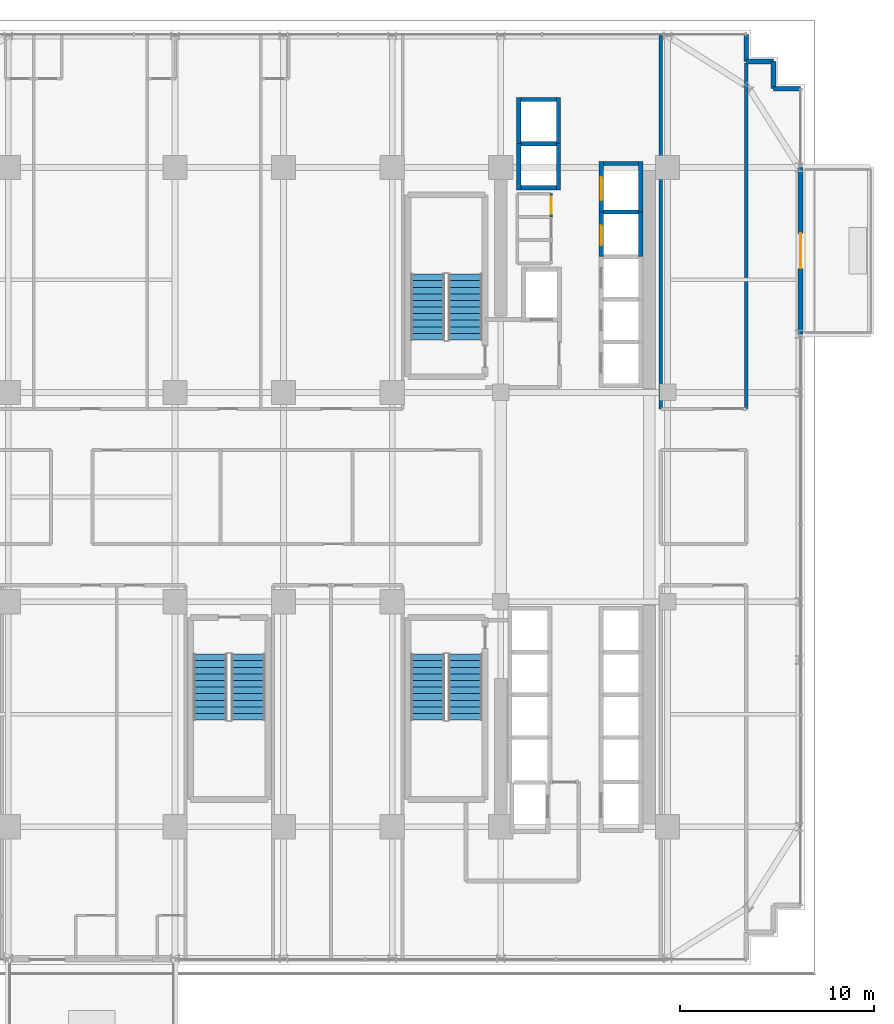
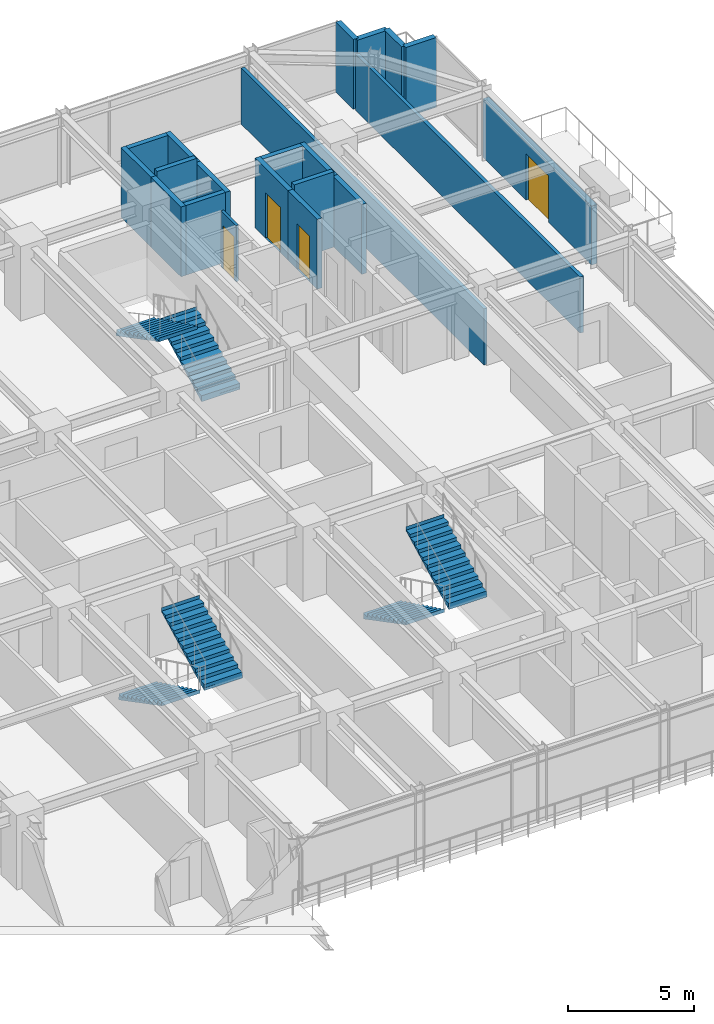
# One storey, part 30 of 34: 21 walls, 6 stair flights, 4 doors, 4 openings, 3 elements without a shape of their own.
"""IFC4 building model written with IfcOpenShell, lengths in metres."""

import ifcopenshell
import ifcopenshell.guid

model = None  # the IFC model being written
_history = None  # IfcOwnerHistory: only IFC2X3 demands one
_inside = {}  # id of a spatial element -> (the spatial element, [elements in it])
_under = {}  # id of a project, library or spatial element -> (it, [spatial elements below it])
_declared = {}  # id of a project -> (the project, [libraries it declares])
_typed = {}  # id of a type object -> (the type object, [elements of that type])
_made_of = {}  # id of a material, layer set ... -> (it, [elements and type objects made of it])


def new_model(schema):
    """Start an empty IFC model of exactly this schema.

    Asked for "IFC4X3", IfcOpenShell would pick the latest addendum, in which some entities
    have other attributes; the version numbers below select the first issue.
    IFC2X3 requires an IfcOwnerHistory on every rooted entity: one is made here for all.
    """
    global model, _history
    if schema == "IFC4X3":
        model = ifcopenshell.file(schema_version=(4, 3, 0, 0))
    else:
        model = ifcopenshell.file(schema=schema)
    _inside.clear()
    _under.clear()
    _declared.clear()
    _typed.clear()
    _made_of.clear()
    _history = None
    if model.schema == "IFC2X3":
        org = make("IfcOrganization", Name="unknown")
        user = make(
            "IfcPersonAndOrganization",
            ThePerson=make("IfcPerson", FamilyName="unknown"),
            TheOrganization=org,
        )
        app = make(
            "IfcApplication",
            ApplicationDeveloper=org,
            Version="unknown",
            ApplicationFullName="unknown",
            ApplicationIdentifier="unknown",
        )
        _history = make(
            "IfcOwnerHistory",
            OwningUser=user,
            OwningApplication=app,
            ChangeAction="ADDED",
            CreationDate=0,
        )
    return model


def make(cls, **values):
    """One entity of the class cls with the attributes given. An attribute that is None is left unset."""
    return model.create_entity(
        cls, **{name: value for name, value in values.items() if value is not None}
    )


def rooted(cls, **values):
    """An entity with a GlobalId (a new one), such as an element, a storey or a relation."""
    return make(cls, GlobalId=ifcopenshell.guid.new(), OwnerHistory=_history, **values)


def si_unit(unit_type, name, prefix=None):
    """IfcSIUnit, for example si_unit("LENGTHUNIT", "METRE", prefix="MILLI")."""
    return make("IfcSIUnit", UnitType=unit_type, Prefix=prefix, Name=name)


def assignment(units):
    """IfcUnitAssignment: the units of a project."""
    return None if units is None else make("IfcUnitAssignment", Units=units)


def point(xyz):
    """IfcCartesianPoint."""
    return None if xyz is None else make("IfcCartesianPoint", Coordinates=xyz)


def direction(xyz):
    """IfcDirection."""
    return None if xyz is None else make("IfcDirection", DirectionRatios=xyz)


def frame(location, z_axis=None, x_axis=None):
    """IfcAxis2Placement3D, a coordinate frame: its origin and axes. An axis left out is left unset."""
    return make(
        "IfcAxis2Placement3D",
        Location=point(location),
        Axis=direction(z_axis),
        RefDirection=direction(x_axis),
    )


def frame_2d(location, x_axis=None):
    """IfcAxis2Placement2D, a coordinate frame in the plane: its origin and x axis."""
    return make(
        "IfcAxis2Placement2D", Location=point(location), RefDirection=direction(x_axis)
    )


def origin():
    """The frame at (0, 0, 0) with its axes left unset."""
    return frame((0.0, 0.0, 0.0))


def place(relative_to, where):
    """IfcLocalPlacement: puts the frame where relative to a parent placement (None: the world)."""
    return make(
        "IfcLocalPlacement", PlacementRelTo=relative_to, RelativePlacement=where
    )


def context(
    kind, dimensions, precision=None, world=None, true_north=None, identifier=None
):
    """IfcGeometricRepresentationContext, for example the 3D "Model" context."""
    return make(
        "IfcGeometricRepresentationContext",
        ContextIdentifier=identifier,
        ContextType=kind,
        CoordinateSpaceDimension=dimensions,
        Precision=precision,
        WorldCoordinateSystem=world,
        TrueNorth=true_north,
    )


def subcontext(parent, identifier, kind, view, scale=None):
    """IfcGeometricRepresentationSubContext, for example "Body" below "Model"."""
    return make(
        "IfcGeometricRepresentationSubContext",
        ContextIdentifier=identifier,
        ContextType=kind,
        ParentContext=parent,
        TargetScale=scale,
        TargetView=view,
    )


def project(units=None, contexts=None):
    """IfcProject with its units and contexts."""
    return rooted(
        "IfcProject",
        Name="project",
        RepresentationContexts=contexts,
        UnitsInContext=assignment(units),
    )


def spatial(cls, under=None, at=None, **own):
    """A site, building, storey or space (cls), placed at a placement, below another one or the project."""
    s = rooted(cls, ObjectPlacement=at, **own)
    if under is not None:
        _under.setdefault(under.id(), (under, []))[1].append(s)
    return s


def polyline(points):
    """IfcPolyline through the points."""
    return make("IfcPolyline", Points=[point(p) for p in points])


def profile(cls, at=None, kind="AREA", **sizes):
    """A parametric profile (cls). Its sizes go by their IFC names, for example OverallWidth=200.0."""
    return make(cls, ProfileType=kind, Position=at, **sizes)


def rectangle(**sizes):
    """IfcRectangleProfileDef."""
    return profile("IfcRectangleProfileDef", **sizes)


def outline(outer, holes=None, kind="AREA"):
    """IfcArbitraryClosedProfileDef: a profile drawn as a closed curve; with holes, ...WithVoids."""
    if holes is None:
        return make("IfcArbitraryClosedProfileDef", ProfileType=kind, OuterCurve=outer)
    return make(
        "IfcArbitraryProfileDefWithVoids",
        ProfileType=kind,
        OuterCurve=outer,
        InnerCurves=holes,
    )


def extrude(swept, where, along, depth):
    """IfcExtrudedAreaSolid: the profile swept, set in the frame where, extruded along a direction by depth."""
    return make(
        "IfcExtrudedAreaSolid",
        SweptArea=swept,
        Position=where,
        ExtrudedDirection=direction(along),
        Depth=depth,
    )


def shape(context_of_items, identifier, shape_type, items):
    """IfcShapeRepresentation: the items that make up one representation, for example the "Body"."""
    return make(
        "IfcShapeRepresentation",
        ContextOfItems=context_of_items,
        RepresentationIdentifier=identifier,
        RepresentationType=shape_type,
        Items=items,
    )


def source(mapping_origin, context_of_items, identifier, shape_type, items):
    """IfcRepresentationMap: a shape defined once, which mapped items show again and again."""
    return make(
        "IfcRepresentationMap",
        MappingOrigin=mapping_origin,
        MappedRepresentation=shape(context_of_items, identifier, shape_type, items),
    )


def transform(
    local_origin,
    x_axis=None,
    y_axis=None,
    z_axis=None,
    scale=None,
    scale2=None,
    scale3=None,
    uniform=True,
):
    """IfcCartesianTransformationOperator3D, or its non-uniform kind. x_axis, y_axis, z_axis: its Axis1, 2, 3."""
    if uniform:
        return make(
            "IfcCartesianTransformationOperator3D",
            Axis1=direction(x_axis),
            Axis2=direction(y_axis),
            LocalOrigin=point(local_origin),
            Scale=scale,
            Axis3=direction(z_axis),
        )
    return make(
        "IfcCartesianTransformationOperator3DnonUniform",
        Axis1=direction(x_axis),
        Axis2=direction(y_axis),
        LocalOrigin=point(local_origin),
        Scale=scale,
        Axis3=direction(z_axis),
        Scale2=scale2,
        Scale3=scale3,
    )


def mapped(mapping_source, mapping_target):
    """IfcMappedItem: shows the shape of a source again, moved by a transform."""
    return make(
        "IfcMappedItem", MappingSource=mapping_source, MappingTarget=mapping_target
    )


def material(Name=None, Category=None):
    """IfcMaterial."""
    return make("IfcMaterial", Name=Name, Category=Category)


def layer(
    of_material, thickness, ventilated=None, Name=None, Category=None, Priority=None
):
    """IfcMaterialLayer: one layer of a wall or slab, of a material (None: an air gap)."""
    return make(
        "IfcMaterialLayer",
        Material=of_material,
        LayerThickness=thickness,
        IsVentilated=ventilated,
        Name=Name,
        Category=Category,
        Priority=Priority,
    )


def layer_set(layers, Name=None):
    """IfcMaterialLayerSet."""
    return make("IfcMaterialLayerSet", MaterialLayers=layers, LayerSetName=Name)


def made_of(thing, what):
    """Note that an element or type object is made of a material, layer set ...; save() writes the relation."""
    if what is not None:
        _made_of.setdefault(what.id(), (what, []))[1].append(thing)
    return thing


def type_object(cls, material=None, **own):
    """A type object (cls), such as IfcWallType, which elements share."""
    return made_of(rooted(cls, **own), material)


def element(
    cls,
    number,
    at=None,
    inside=None,
    cuts=None,
    type_object=None,
    material=None,
    context=None,
    identifier="Body",
    shape_type=None,
    held_by="IfcProductDefinitionShape",
    body=None,
    shapes=None,
    **own,
):
    """One element of the class cls, such as IfcWall. Its Tag is "e" and its number.

    at: its placement. inside: the storey or other place that contains it. cuts: it is an
    opening in that element (IfcRelVoidsElement). A single representation is given by context,
    identifier, shape_type and body (its items); several are given by shapes. held_by: the class
    of the entity that holds the representations. save() writes the other relations.
    """
    e = rooted(cls, Tag="e%d" % number, ObjectPlacement=at, **own)
    if body is not None:
        shapes = [shape(context, identifier, shape_type, body)]
    if shapes is not None:
        e.Representation = make(held_by, Representations=shapes)
    if inside is not None:
        _inside.setdefault(inside.id(), (inside, []))[1].append(e)
    if cuts is not None:
        rooted(
            "IfcRelVoidsElement", RelatingBuildingElement=cuts, RelatedOpeningElement=e
        )
    if type_object is not None:
        _typed.setdefault(type_object.id(), (type_object, []))[1].append(e)
    return made_of(e, material)


def fill(opening, filler):
    """IfcRelFillsElement: the door or window that sits in an opening."""
    return rooted(
        "IfcRelFillsElement",
        RelatingOpeningElement=opening,
        RelatedBuildingElement=filler,
    )


def aggregate(whole, parts):
    """IfcRelAggregates: a whole, such as a stair, and the parts it consists of."""
    return rooted("IfcRelAggregates", RelatingObject=whole, RelatedObjects=parts)


def save(model, path):
    """Write the relations noted so far, then the file.

    IfcRelAggregates (storeys below a building ...), IfcRelContainedInSpatialStructure (elements
    in a storey), IfcRelDefinesByType, IfcRelAssociatesMaterial and IfcRelDeclares: one each for
    every whole, place, type object, material and project.
    """
    for whole, parts in _under.values():
        aggregate(whole, parts)
    for where, things in _inside.values():
        rooted(
            "IfcRelContainedInSpatialStructure",
            RelatedElements=things,
            RelatingStructure=where,
        )
    for kind, things in _typed.values():
        rooted("IfcRelDefinesByType", RelatedObjects=things, RelatingType=kind)
    for what, things in _made_of.values():
        rooted("IfcRelAssociatesMaterial", RelatedObjects=things, RelatingMaterial=what)
    for by, libraries in _declared.values():
        rooted("IfcRelDeclares", RelatingContext=by, RelatedDefinitions=libraries)
    model.write(path)


model = new_model("IFC4")

# Units and contexts
model_context = context("Model", 3, precision=1e-05, world=origin(), true_north=direction((0.0, 1.0)))
body_context = subcontext(model_context, "Body", "Model", "MODEL_VIEW")
ifc_project = project(units=[si_unit("LENGTHUNIT", "METRE"), si_unit("AREAUNIT", "SQUARE_METRE"), si_unit("VOLUMEUNIT", "CUBIC_METRE"), si_unit("PLANEANGLEUNIT", "RADIAN"), si_unit("MASSUNIT", "GRAM", prefix="KILO")], contexts=[model_context])

# Site, building, storey
site_placement = place(None, origin())
site = spatial("IfcSite", under=ifc_project, at=site_placement, CompositionType="ELEMENT")
building_placement = place(site_placement, origin())
building = spatial("IfcBuilding", under=site, at=building_placement, Name="Nahalor Promenade Grand Hotel", CompositionType="ELEMENT")
storey_placement = place(building_placement, frame((0.0, 0.0, 88.300048828125)))
storey = spatial("IfcBuildingStorey", under=building, at=storey_placement, Name="L21", CompositionType="ELEMENT", Elevation=88.300048828125)

# Walls
ifc_material_1 = material(Name="Concrete B-50 (C40/50)", Category="concrete")
ifc_layer_1 = layer(ifc_material_1, 0.219970703125)
ifc_layer_set_1 = layer_set([ifc_layer_1], Name="Concrete B-50 (C40/50)")
wall_type_1 = type_object("IfcWallType", Name="Wall-LiftShaft-220", PredefinedType="SHEAR", material=ifc_layer_set_1)
shared_shape_1 = source(origin(), body_context, "Body", "SweptSolid", [
    extrude(rectangle(XDim=1.820068359375, YDim=0.219970703125, at=frame_2d((0.91015625, 0.0))), origin(), (0.0, 0.0, 1.0), 3.64990234375),
])
for number, where, z_axis, x_axis, name in (
    (1, (13.68994140625, 14.699951171875, 0.0), (0.0, 0.0, 1.0), (1.0, 0.0, 0.0), "L21 Lift PL4 Hoistway Wall N"),
    (2, (9.43994140625, 18.22509765625, 0.0), (0.0, 0.0, 1.0), (1.0, 0.0, 0.0), "L21 Lift OB1 Hoistway Wall N"),
):
    element("IfcWall", number, at=place(storey_placement, frame(where, z_axis=z_axis, x_axis=x_axis)), inside=storey, type_object=wall_type_1, Name=name, PredefinedType="SHEAR", context=body_context, shape_type="MappedRepresentation", body=[
        mapped(shared_shape_1, transform((0.0, 0.0, 0.0), scale=1.0)),
    ])
shared_shape_2 = source(origin(), body_context, "Body", "SweptSolid", [
    extrude(rectangle(XDim=1.820068359375, YDim=0.219970703125, at=frame_2d((0.91015625, 0.0))), origin(), (0.0, 0.0, 1.0), 3.3798828125),
])
for number, where, z_axis, x_axis, name in (
    (3, (9.43994140625, 15.949951171875, 0.0), (0.0, 0.0, 1.0), (1.0, 0.0, 0.0), "L21 Lift OB1 Hoistway Wall S"),
    (4, (9.43994140625, 20.5, 0.0), (0.0, 0.0, 1.0), (1.0, 0.0, 0.0), "L21 Lift OB2 Hoistway Wall N"),
    (5, (13.68994140625, 17.199951171875, 0.0), (0.0, 0.0, 1.0), (1.0, 0.0, 0.0), "L21 Lift SV1 Hoistway Wall N"),
):
    element("IfcWall", number, at=place(storey_placement, frame(where, z_axis=z_axis, x_axis=x_axis)), inside=storey, type_object=wall_type_1, Name=name, PredefinedType="SHEAR", context=body_context, shape_type="MappedRepresentation", body=[
        mapped(shared_shape_2, transform((0.0, 0.0, 0.0), scale=1.0)),
    ])

# Wall, opening, door
shared_shape_3 = source(origin(), body_context, "Body", "SweptSolid", [
    extrude(rectangle(XDim=2.300048828125, YDim=0.219970703125, at=frame_2d((1.14990234375, 0.0))), origin(), (0.0, 0.0, 1.0), 3.3798828125),
])
wall_1_placement = place(storey_placement, frame((13.580078125, 12.39990234375, 0.0), z_axis=(0.0, 0.0, 1.0), x_axis=(0.0, 1.0, 0.0)))
wall_1 = element("IfcWall", 6, at=wall_1_placement, inside=storey, type_object=wall_type_1, Name="L21 Lift PL4 Hoistway Wall W", PredefinedType="SHEAR", context=body_context, shape_type="MappedRepresentation", body=[
    mapped(shared_shape_3, transform((0.0, 0.0, 0.0), scale=1.0)),
])
opening_1_placement = place(wall_1_placement, frame((0.60009765625, 0.0, 0.0)))
opening_1 = element("IfcOpeningElement", 7, at=opening_1_placement, cuts=wall_1, Name="Opening LD-01", PredefinedType="OPENING", context=body_context, shape_type="SweptSolid", body=[
    extrude(rectangle(XDim=1.0, YDim=2.199951171875, at=frame_2d((0.5, 1.10009765625))), frame((0.0, 0.119873046875, 0.0), z_axis=(0.0, -1.0, 0.0), x_axis=(1.0, 0.0, 0.0)), (0.0, 0.0, 1.0), 0.239990234375),
])
ifc_material_2 = material(Name="Steel S355JR", Category="steel")
door_type_1 = type_object("IfcDoorType", Name="Door-LiftLanding-1000", OperationType="DOUBLE_DOOR_SLIDING", PredefinedType="DOOR", material=ifc_material_2)
shared_shape_4 = source(origin(), body_context, "Body", "SweptSolid", [
    extrude(rectangle(XDim=1.0, YDim=2.199951171875, at=frame_2d((0.5, 1.10009765625))), frame((0.0, 0.02490234375, 0.0), z_axis=(0.0, -1.0, 0.0), x_axis=(1.0, 0.0, 0.0)), (0.0, 0.0, 1.0), 0.050048828125),
])
door_1_placement = place(opening_1_placement, origin())
door_1 = element("IfcDoor", 8, at=door_1_placement, inside=storey, type_object=door_type_1, Name="DR-LIFT-PL4-L21", OperationType="DOUBLE_DOOR_SLIDING", OverallHeight=2.199951171875, OverallWidth=1.0, PredefinedType="DOOR", context=body_context, shape_type="MappedRepresentation", body=[
    mapped(shared_shape_4, transform((0.0, 0.0, 0.0), scale=1.0)),
])
fill(opening_1, door_1)

# Walls
wall_2_placement = place(storey_placement, frame((15.6201171875, 12.39990234375, 0.0), z_axis=(0.0, 0.0, 1.0), x_axis=(0.0, 1.0, 0.0)))
element("IfcWall", 9, at=wall_2_placement, inside=storey, type_object=wall_type_1, Name="L21 Lift PL4 Hoistway Wall E", PredefinedType="SHEAR", context=body_context, shape_type="MappedRepresentation", body=[
    mapped(shared_shape_3, transform((0.0, 0.0, 0.0), scale=1.0)),
])
shared_shape_5 = source(origin(), body_context, "Body", "SweptSolid", [
    extrude(rectangle(XDim=2.385009765625, YDim=0.219970703125, at=frame_2d((1.1923828125, 0.0))), origin(), (0.0, 0.0, 1.0), 3.3798828125),
])
for number, where, z_axis, x_axis, name in (
    (10, (9.330078125, 15.840087890625, 0.0), (0.0, 0.0, 1.0), (0.0, 1.0, 0.0), "L21 Lift OB1 Hoistway Wall W"),
    (11, (11.3701171875, 15.840087890625, 0.0), (0.0, 0.0, 1.0), (0.0, 1.0, 0.0), "L21 Lift OB1 Hoistway Wall E"),
    (12, (9.330078125, 18.22509765625, 0.0), (0.0, 0.0, 1.0), (0.0, 1.0, 0.0), "L21 Lift OB2 Hoistway Wall W"),
    (13, (11.3701171875, 18.22509765625, 0.0), (0.0, 0.0, 1.0), (0.0, 1.0, 0.0), "L21 Lift OB2 Hoistway Wall E"),
):
    element("IfcWall", number, at=place(storey_placement, frame(where, z_axis=z_axis, x_axis=x_axis)), inside=storey, type_object=wall_type_1, Name=name, PredefinedType="SHEAR", context=body_context, shape_type="MappedRepresentation", body=[
        mapped(shared_shape_5, transform((0.0, 0.0, 0.0), scale=1.0)),
    ])

# Wall, opening, door
shared_shape_6 = source(origin(), body_context, "Body", "SweptSolid", [
    extrude(rectangle(XDim=2.610107421875, YDim=0.219970703125, at=frame_2d((1.30517578125, 0.0))), origin(), (0.0, 0.0, 1.0), 3.3798828125),
])
wall_3_placement = place(storey_placement, frame((13.580078125, 14.699951171875, 0.0), z_axis=(0.0, 0.0, 1.0), x_axis=(0.0, 1.0, 0.0)))
wall_3 = element("IfcWall", 14, at=wall_3_placement, inside=storey, type_object=wall_type_1, Name="L21 Lift SV1 Hoistway Wall W", PredefinedType="SHEAR", context=body_context, shape_type="MappedRepresentation", body=[
    mapped(shared_shape_6, transform((0.0, 0.0, 0.0), scale=1.0)),
])
opening_2_placement = place(wall_3_placement, frame((0.60009765625, 0.0, 0.0)))
opening_2 = element("IfcOpeningElement", 15, at=opening_2_placement, cuts=wall_3, Name="Opening LD-03", PredefinedType="OPENING", context=body_context, shape_type="SweptSolid", body=[
    extrude(rectangle(XDim=1.199951171875, YDim=2.199951171875, at=frame_2d((0.60009765625, 1.10009765625))), frame((0.0, 0.119873046875, 0.0), z_axis=(0.0, -1.0, 0.0), x_axis=(1.0, 0.0, 0.0)), (0.0, 0.0, 1.0), 0.239990234375),
])
door_type_2 = type_object("IfcDoorType", Name="Door-LiftService-1200", OperationType="DOUBLE_DOOR_SLIDING", PredefinedType="DOOR", material=ifc_material_2)
shared_shape_7 = source(origin(), body_context, "Body", "SweptSolid", [
    extrude(rectangle(XDim=1.199951171875, YDim=2.199951171875, at=frame_2d((0.60009765625, 1.10009765625))), frame((0.0, 0.02490234375, 0.0), z_axis=(0.0, -1.0, 0.0), x_axis=(1.0, 0.0, 0.0)), (0.0, 0.0, 1.0), 0.050048828125),
])
door_2_placement = place(opening_2_placement, origin())
door_2 = element("IfcDoor", 16, at=door_2_placement, inside=storey, type_object=door_type_2, Name="DR-LIFT-SV1-L21", OperationType="DOUBLE_DOOR_SLIDING", OverallHeight=2.199951171875, OverallWidth=1.199951171875, PredefinedType="DOOR", context=body_context, shape_type="MappedRepresentation", body=[
    mapped(shared_shape_7, transform((0.0, 0.0, 0.0), scale=1.0)),
])
fill(opening_2, door_2)

# Walls
wall_4_placement = place(storey_placement, frame((15.6201171875, 14.699951171875, 0.0), z_axis=(0.0, 0.0, 1.0), x_axis=(0.0, 1.0, 0.0)))
element("IfcWall", 17, at=wall_4_placement, inside=storey, type_object=wall_type_1, Name="L21 Lift SV1 Hoistway Wall E", PredefinedType="SHEAR", context=body_context, shape_type="MappedRepresentation", body=[
    mapped(shared_shape_6, transform((0.0, 0.0, 0.0), scale=1.0)),
])
ifc_material_3 = material(Name="Concrete B-40 (C32/40)", Category="concrete")
ifc_layer_2 = layer(ifc_material_3, 0.25)
ifc_layer_set_2 = layer_set([ifc_layer_2], Name="Concrete B-40 (C32/40)")
wall_type_2 = type_object("IfcWallType", Name="Wall-BronzePier-250", PredefinedType="STANDARD", material=ifc_layer_set_2)
shared_shape_8 = source(origin(), body_context, "Body", "SweptSolid", [
    extrude(rectangle(XDim=1.400146484375, YDim=0.25, at=frame_2d((0.7001953125, 0.0))), origin(), (0.0, 0.0, 1.0), 3.3798828125),
])
for number, where, z_axis, x_axis, name in (
    (18, (22.4599609375, 21.06005859375, 0.0), (0.0, 0.0, 1.0), (1.0, 0.0, 0.0), "W-L21-SR-05"),
    (19, (21.06005859375, 22.4599609375, 0.0), (0.0, 0.0, 1.0), (0.0, 1.0, 0.0), "W-L21-SR-08"),
):
    element("IfcWall", number, at=place(storey_placement, frame(where, z_axis=z_axis, x_axis=x_axis)), inside=storey, type_object=wall_type_2, Name=name, PredefinedType="STANDARD", context=body_context, shape_type="MappedRepresentation", body=[
        mapped(shared_shape_8, transform((0.0, 0.0, 0.0), scale=1.0)),
    ])
shared_shape_9 = source(origin(), body_context, "Body", "SweptSolid", [
    extrude(rectangle(XDim=1.39990234375, YDim=0.25, at=frame_2d((0.699951171875, 0.0))), origin(), (0.0, 0.0, 1.0), 3.3798828125),
])
for number, where, z_axis, x_axis, name in (
    (20, (22.4599609375, 21.06005859375, 0.0), (0.0, 0.0, 1.0), (0.0, 1.0, 0.0), "W-L21-SR-06"),
    (21, (21.06005859375, 22.4599609375, 0.0), (0.0, 0.0, 1.0), (1.0, 0.0, 0.0), "W-L21-SR-07"),
):
    element("IfcWall", number, at=place(storey_placement, frame(where, z_axis=z_axis, x_axis=x_axis)), inside=storey, type_object=wall_type_2, Name=name, PredefinedType="STANDARD", context=body_context, shape_type="MappedRepresentation", body=[
        mapped(shared_shape_9, transform((0.0, 0.0, 0.0), scale=1.0)),
    ])

# Wall, opening, door
ifc_layer_3 = layer(ifc_material_3, 0.260009765625)
ifc_layer_set_3 = layer_set([ifc_layer_3], Name="Concrete B-40 (C32/40)")
wall_type_3 = type_object("IfcWallType", Name="Wall-BalconyWall-260", PredefinedType="STANDARD", material=ifc_layer_set_3)
shared_shape_10 = source(origin(), body_context, "Body", "SweptSolid", [
    extrude(rectangle(XDim=8.60009765625, YDim=0.260009765625, at=frame_2d((4.300048828125, 0.0))), origin(), (0.0, 0.0, 1.0), 2.85986328125),
])
wall_5_placement = place(storey_placement, frame((23.860107421875, 8.39990234375, 0.0), z_axis=(0.0, 0.0, 1.0), x_axis=(0.0, 1.0, 0.0)))
wall_5 = element("IfcWall", 22, at=wall_5_placement, inside=storey, type_object=wall_type_3, Name="W-L21-BALC-E-2", PredefinedType="STANDARD", context=body_context, shape_type="MappedRepresentation", body=[
    mapped(shared_shape_10, transform((0.0, 0.0, 0.0), scale=1.0)),
])
opening_3_placement = place(wall_5_placement, frame((3.39990234375, 0.0, 0.0)))
opening_3 = element("IfcOpeningElement", 23, at=opening_3_placement, cuts=wall_5, Name="Opening D-BC1", PredefinedType="OPENING", context=body_context, shape_type="SweptSolid", body=[
    extrude(rectangle(XDim=1.800048828125, YDim=2.25, at=frame_2d((0.89990234375, 1.125))), frame((0.0, 0.139892578125, 0.0), z_axis=(0.0, -1.0, 0.0), x_axis=(1.0, 0.0, 0.0)), (0.0, 0.0, 1.0), 0.280029296875),
])
ifc_material_4 = material(Name="Anodised Bronze Aluminium EN AW-6063 T6", Category="aluminium")
door_type_3 = type_object("IfcDoorType", Name="Door-BalconySlide-1800", OperationType="DOUBLE_DOOR_SLIDING", PredefinedType="DOOR", material=ifc_material_4)
shared_shape_11 = source(origin(), body_context, "Body", "SweptSolid", [
    extrude(rectangle(XDim=1.800048828125, YDim=2.25, at=frame_2d((0.89990234375, 1.125))), frame((0.0, 0.02490234375, 0.0), z_axis=(0.0, -1.0, 0.0), x_axis=(1.0, 0.0, 0.0)), (0.0, 0.0, 1.0), 0.050048828125),
])
door_3_placement = place(opening_3_placement, frame((1.800048828125, 0.0, 0.0), z_axis=(0.0, 0.0, 1.0), x_axis=(-1.0, 0.0, 0.0)))
door_3 = element("IfcDoor", 24, at=door_3_placement, inside=storey, type_object=door_type_3, Name="DR-L21-BALC-E-2", OperationType="DOUBLE_DOOR_SLIDING", OverallHeight=2.25, OverallWidth=1.800048828125, PredefinedType="DOOR", context=body_context, shape_type="MappedRepresentation", body=[
    mapped(shared_shape_11, transform((0.0, 0.0, 0.0), scale=1.0)),
])
fill(opening_3, door_3)

ifc_material_5 = material(Name="Acoustic Mineral Gypsum", Category="gypsum")
ifc_layer_4 = layer(ifc_material_5, 0.1201171875)
ifc_layer_set_4 = layer_set([ifc_layer_4], Name="Acoustic Mineral Gypsum")
wall_type_4 = type_object("IfcWallType", Name="Wall-PartBath-120", PredefinedType="PARTITIONING", material=ifc_layer_set_4)
shared_shape_12 = source(origin(), body_context, "Body", "SweptSolid", [
    extrude(rectangle(XDim=1.199951171875, YDim=0.1201171875, at=frame_2d((0.60009765625, 0.0))), origin(), (0.0, 0.0, 1.0), 2.719970703125),
])
wall_6_placement = place(storey_placement, frame((11.0, 14.449951171875, 0.0), z_axis=(0.0, 0.0, 1.0), x_axis=(0.0, 1.0, 0.0)))
wall_6 = element("IfcWall", 25, at=wall_6_placement, inside=storey, type_object=wall_type_4, Name="W-L21-CK3C-E", PredefinedType="PARTITIONING", context=body_context, shape_type="MappedRepresentation", body=[
    mapped(shared_shape_12, transform((0.0, 0.0, 0.0), scale=1.0)),
])
opening_4_placement = place(wall_6_placement, frame((0.159912109375, 0.0, 0.0)))
opening_4 = element("IfcOpeningElement", 26, at=opening_4_placement, cuts=wall_6, Name="Opening D-03", PredefinedType="OPENING", context=body_context, shape_type="SweptSolid", body=[
    extrude(rectangle(XDim=0.8798828125, YDim=2.10009765625, at=frame_2d((0.43994140625, 1.050048828125))), frame((0.0, 0.070068359375, 0.0), z_axis=(0.0, -1.0, 0.0), x_axis=(1.0, 0.0, 0.0)), (0.0, 0.0, 1.0), 0.14013671875),
])
ifc_material_6 = material(Name="Fire-Rated Timber Composite", Category="wood")
door_type_4 = type_object("IfcDoorType", Name="Door-BathSwing-880", OperationType="NOTDEFINED", PredefinedType="DOOR", material=ifc_material_6)
shared_shape_13 = source(origin(), body_context, "Body", "SweptSolid", [
    extrude(rectangle(XDim=0.8798828125, YDim=2.10009765625, at=frame_2d((0.43994140625, 1.050048828125))), frame((0.0, 0.02490234375, 0.0), z_axis=(0.0, -1.0, 0.0), x_axis=(1.0, 0.0, 0.0)), (0.0, 0.0, 1.0), 0.050048828125),
])
door_4_placement = place(opening_4_placement, origin())
door_4 = element("IfcDoor", 27, at=door_4_placement, inside=storey, type_object=door_type_4, Name="DR-L21-CK3C", OperationType="SINGLE_SWING_LEFT", OverallHeight=2.10009765625, OverallWidth=0.8798828125, PredefinedType="DOOR", context=body_context, shape_type="MappedRepresentation", body=[
    mapped(shared_shape_13, transform((0.0, 0.0, 0.0), scale=1.0)),
])
fill(opening_4, door_4)

# Walls
ifc_layer_5 = layer(ifc_material_5, 0.159912109375)
ifc_layer_set_5 = layer_set([ifc_layer_5], Name="Acoustic Mineral Gypsum")
wall_type_5 = type_object("IfcWallType", Name="Wall-PartCorridor-160", PredefinedType="PARTITIONING", material=ifc_layer_set_5)
shared_shape_14 = source(origin(), body_context, "Body", "SweptSolid", [
    extrude(rectangle(XDim=19.25, YDim=0.159912109375, at=frame_2d((9.625, 0.0))), origin(), (0.0, 0.0, 1.0), 2.719970703125),
])
wall_7_placement = place(storey_placement, frame((16.64990234375, 4.550048828125, 0.0), z_axis=(0.0, 0.0, 1.0), x_axis=(0.0, 1.0, 0.0)))
element("IfcWall", 28, at=wall_7_placement, inside=storey, type_object=wall_type_5, Name="W-L21-ENE-W", PredefinedType="PARTITIONING", context=body_context, shape_type="MappedRepresentation", body=[
    mapped(shared_shape_14, transform((0.0, 0.0, 0.0), scale=1.0)),
])
shared_shape_15 = source(origin(), body_context, "Body", "SweptSolid", [
    extrude(rectangle(XDim=17.829833984375, YDim=0.159912109375, at=frame_2d((8.9150390625, 0.0))), origin(), (0.0, 0.0, 1.0), 2.719970703125),
])
wall_8_placement = place(storey_placement, frame((21.06005859375, 4.550048828125, 0.0), z_axis=(0.0, 0.0, 1.0), x_axis=(0.0, 1.0, 0.0)))
element("IfcWall", 29, at=wall_8_placement, inside=storey, type_object=wall_type_5, Name="W-L21-ENE-E", PredefinedType="PARTITIONING", context=body_context, shape_type="MappedRepresentation", body=[
    mapped(shared_shape_15, transform((0.0, 0.0, 0.0), scale=1.0)),
])

# Stair, stair flights
stair_type_1 = type_object("IfcStairType", Name="Stair-ST1", PredefinedType="HALF_TURN_STAIR", material=ifc_material_1)
stair_1_placement = place(storey_placement, origin())
stair_1 = element("IfcStair", 30, at=stair_1_placement, inside=storey, type_object=stair_type_1, Name="L21 ST1", PredefinedType="HALF_TURN_STAIR")
ifc_layer_6 = layer(ifc_material_1, 0.179931640625)
ifc_layer_set_6 = layer_set([ifc_layer_6], Name="Concrete B-50 (C40/50)")
stair_flight_type_1 = type_object("IfcStairFlightType", Name="Flight-ST1", PredefinedType="STRAIGHT", material=ifc_layer_set_6)
shared_shape_16 = source(origin(), body_context, "Body", "SweptSolid", [
    extrude(outline(polyline([(-0.00390625, -0.1201171875), (-0.00390625, 0.0), (0.0, 0.0), (0.0, 0.166015625), (0.340087890625, 0.166015625), (0.340087890625, 0.331787109375), (0.679931640625, 0.331787109375), (0.679931640625, 0.497802734375), (1.02001953125, 0.497802734375), (1.02001953125, 0.66357421875), (1.360107421875, 0.66357421875), (1.360107421875, 0.82958984375), (1.699951171875, 0.82958984375), (1.699951171875, 0.995361328125), (2.0400390625, 0.995361328125), (2.0400390625, 1.161376953125), (2.3798828125, 1.161376953125), (2.3798828125, 1.327392578125), (2.719970703125, 1.327392578125), (2.719970703125, 1.4931640625), (3.06005859375, 1.4931640625), (3.06005859375, 1.6591796875), (3.39990234375, 1.6591796875), (3.39990234375, 1.824951171875), (3.404052734375, 1.824951171875), (3.404052734375, 1.64501953125), (0.02001953125, -0.1201171875), (-0.00390625, -0.1201171875)])), frame((0.0, 0.875, 0.0), z_axis=(0.0, -1.0, 0.0), x_axis=(1.0, 0.0, 0.0)), (0.0, 0.0, 1.0), 1.75),
])
stair_flight_1_placement = place(storey_placement, frame((6.574951171875, 8.10009765625, 0.0), z_axis=(0.0, 0.0, 1.0), x_axis=(0.0, 1.0, 0.0)))
stair_flight_1 = element("IfcStairFlight", 31, at=stair_flight_1_placement, type_object=stair_flight_type_1, Name="ST1 flight 1", NumberOfRisers=11, NumberOfTreads=10, PredefinedType="STRAIGHT", RiserHeight=0.165909091, TreadLength=0.34, context=body_context, shape_type="MappedRepresentation", body=[
    mapped(shared_shape_16, transform((0.0, 0.0, 0.0), scale=1.0)),
])
stair_flight_2_placement = place(storey_placement, frame((4.625, 11.5, 1.824951171875), z_axis=(0.0, 0.0, 1.0), x_axis=(0.0, -1.0, 0.0)))
stair_flight_2 = element("IfcStairFlight", 32, at=stair_flight_2_placement, type_object=stair_flight_type_1, Name="ST1 flight 2", NumberOfRisers=11, NumberOfTreads=10, PredefinedType="STRAIGHT", RiserHeight=0.165909091, TreadLength=0.34, context=body_context, shape_type="MappedRepresentation", body=[
    mapped(shared_shape_16, transform((0.0, 0.0, 0.0), scale=1.0)),
])
aggregate(stair_1, [stair_flight_1, stair_flight_2])

stair_type_2 = type_object("IfcStairType", Name="Stair-ST2", PredefinedType="HALF_TURN_STAIR", material=ifc_material_1)
stair_2_placement = place(storey_placement, origin())
stair_2 = element("IfcStair", 33, at=stair_2_placement, inside=storey, type_object=stair_type_2, Name="L21 ST2", PredefinedType="HALF_TURN_STAIR")
ifc_layer_7 = layer(ifc_material_1, 0.18994140625)
ifc_layer_set_7 = layer_set([ifc_layer_7], Name="Concrete B-50 (C40/50)")
stair_flight_type_2 = type_object("IfcStairFlightType", Name="Flight-ST2", PredefinedType="STRAIGHT", material=ifc_layer_set_7)
shared_shape_17 = source(origin(), body_context, "Body", "SweptSolid", [
    extrude(outline(polyline([(-0.00390625, -0.1201171875), (-0.00390625, 0.0), (0.0, 0.0), (0.0, 0.166015625), (0.340087890625, 0.166015625), (0.340087890625, 0.331787109375), (0.679931640625, 0.331787109375), (0.679931640625, 0.497802734375), (1.02001953125, 0.497802734375), (1.02001953125, 0.66357421875), (1.360107421875, 0.66357421875), (1.360107421875, 0.82958984375), (1.699951171875, 0.82958984375), (1.699951171875, 0.995361328125), (2.0400390625, 0.995361328125), (2.0400390625, 1.161376953125), (2.3798828125, 1.161376953125), (2.3798828125, 1.327392578125), (2.719970703125, 1.327392578125), (2.719970703125, 1.4931640625), (3.06005859375, 1.4931640625), (3.06005859375, 1.6591796875), (3.39990234375, 1.6591796875), (3.39990234375, 1.824951171875), (3.404052734375, 1.824951171875), (3.404052734375, 1.64501953125), (0.02001953125, -0.1201171875), (-0.00390625, -0.1201171875)])), frame((0.0, 0.875, 0.0), z_axis=(0.0, -1.0, 0.0), x_axis=(1.0, 0.0, 0.0)), (0.0, 0.0, 1.0), 1.75),
])
stair_flight_3_placement = place(storey_placement, frame((4.625, -8.10009765625, 0.0), z_axis=(0.0, 0.0, 1.0), x_axis=(0.0, -1.0, 0.0)))
stair_flight_3 = element("IfcStairFlight", 34, at=stair_flight_3_placement, type_object=stair_flight_type_2, Name="ST2 flight 1", NumberOfRisers=11, NumberOfTreads=10, PredefinedType="STRAIGHT", RiserHeight=0.165909091, TreadLength=0.34, context=body_context, shape_type="MappedRepresentation", body=[
    mapped(shared_shape_17, transform((0.0, 0.0, 0.0), scale=1.0)),
])
stair_flight_4_placement = place(storey_placement, frame((6.574951171875, -11.5, 1.824951171875), z_axis=(0.0, 0.0, 1.0), x_axis=(0.0, 1.0, 0.0)))
stair_flight_4 = element("IfcStairFlight", 35, at=stair_flight_4_placement, type_object=stair_flight_type_2, Name="ST2 flight 2", NumberOfRisers=11, NumberOfTreads=10, PredefinedType="STRAIGHT", RiserHeight=0.165909091, TreadLength=0.34, context=body_context, shape_type="MappedRepresentation", body=[
    mapped(shared_shape_17, transform((0.0, 0.0, 0.0), scale=1.0)),
])
aggregate(stair_2, [stair_flight_3, stair_flight_4])

stair_type_3 = type_object("IfcStairType", Name="Stair-ST3", PredefinedType="HALF_TURN_STAIR", material=ifc_material_1)
stair_3_placement = place(storey_placement, origin())
stair_3 = element("IfcStair", 36, at=stair_3_placement, inside=storey, type_object=stair_type_3, Name="L21 ST3", PredefinedType="HALF_TURN_STAIR")
ifc_layer_8 = layer(ifc_material_1, 0.199951171875)
ifc_layer_set_8 = layer_set([ifc_layer_8], Name="Concrete B-50 (C40/50)")
stair_flight_type_3 = type_object("IfcStairFlightType", Name="Flight-ST3", PredefinedType="STRAIGHT", material=ifc_layer_set_8)
shared_shape_18 = source(origin(), body_context, "Body", "SweptSolid", [
    extrude(outline(polyline([(-0.00390625, -0.1201171875), (-0.00390625, 0.0), (0.0, 0.0), (0.0, 0.166015625), (0.340087890625, 0.166015625), (0.340087890625, 0.331787109375), (0.679931640625, 0.331787109375), (0.679931640625, 0.497802734375), (1.02001953125, 0.497802734375), (1.02001953125, 0.66357421875), (1.360107421875, 0.66357421875), (1.360107421875, 0.82958984375), (1.699951171875, 0.82958984375), (1.699951171875, 0.995361328125), (2.0400390625, 0.995361328125), (2.0400390625, 1.161376953125), (2.3798828125, 1.161376953125), (2.3798828125, 1.327392578125), (2.719970703125, 1.327392578125), (2.719970703125, 1.4931640625), (3.06005859375, 1.4931640625), (3.06005859375, 1.6591796875), (3.39990234375, 1.6591796875), (3.39990234375, 1.824951171875), (3.404052734375, 1.824951171875), (3.404052734375, 1.64501953125), (0.02001953125, -0.1201171875), (-0.00390625, -0.1201171875)])), frame((0.0, 0.875, 0.0), z_axis=(0.0, -1.0, 0.0), x_axis=(1.0, 0.0, 0.0)), (0.0, 0.0, 1.0), 1.75),
])
stair_flight_5_placement = place(storey_placement, frame((-6.574951171875, -8.10009765625, 0.0), z_axis=(0.0, 0.0, 1.0), x_axis=(0.0, -1.0, 0.0)))
stair_flight_5 = element("IfcStairFlight", 37, at=stair_flight_5_placement, type_object=stair_flight_type_3, Name="ST3 flight 1", NumberOfRisers=11, NumberOfTreads=10, PredefinedType="STRAIGHT", RiserHeight=0.165909091, TreadLength=0.34, context=body_context, shape_type="MappedRepresentation", body=[
    mapped(shared_shape_18, transform((0.0, 0.0, 0.0), scale=1.0)),
])
stair_flight_6_placement = place(storey_placement, frame((-4.625, -11.5, 1.824951171875), z_axis=(0.0, 0.0, 1.0), x_axis=(0.0, 1.0, 0.0)))
stair_flight_6 = element("IfcStairFlight", 38, at=stair_flight_6_placement, type_object=stair_flight_type_3, Name="ST3 flight 2", NumberOfRisers=11, NumberOfTreads=10, PredefinedType="STRAIGHT", RiserHeight=0.165909091, TreadLength=0.34, context=body_context, shape_type="MappedRepresentation", body=[
    mapped(shared_shape_18, transform((0.0, 0.0, 0.0), scale=1.0)),
])
aggregate(stair_3, [stair_flight_5, stair_flight_6])

save(model, "model.ifc")
